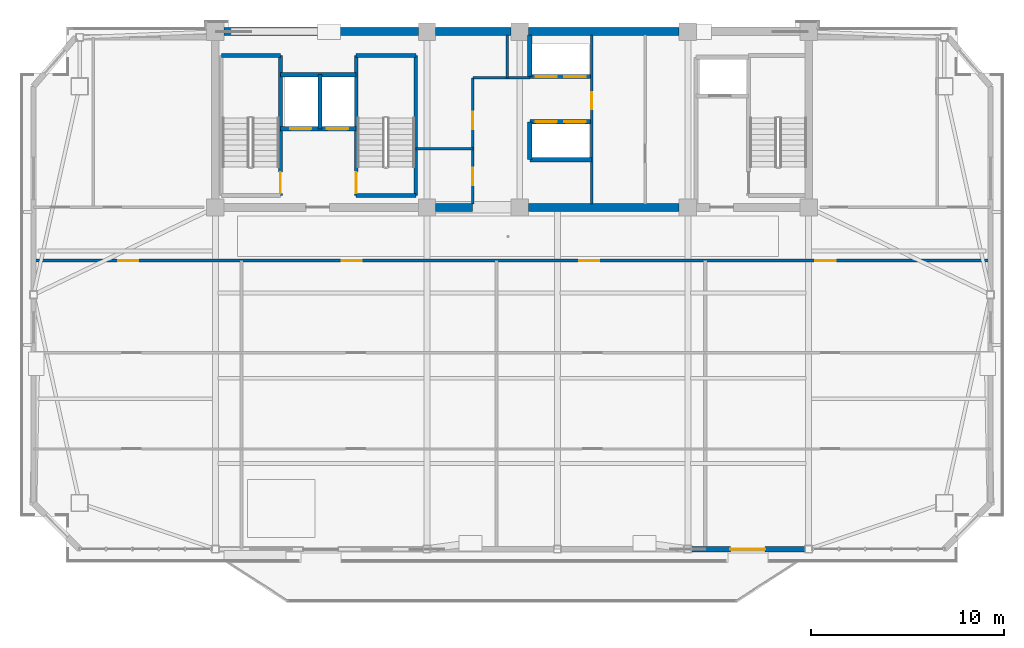
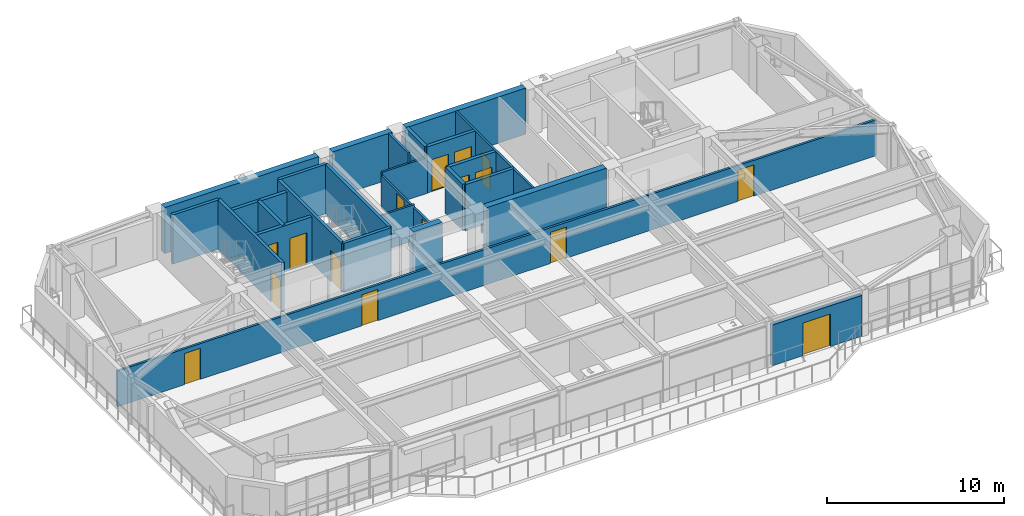
# One storey, part 7 of 13: 26 walls, 16 doors, 16 openings.
"""IFC4 building model written with IfcOpenShell, lengths in metres."""

from ifc_helpers import new_model, si_unit, direction, frame, frame_2d, origin, place, context, subcontext, project, spatial, rectangle, extrude, source, transform, mapped, material, layer, layer_set, type_object, element, fill, save


model = new_model("IFC4")

# Units and contexts
model_context = context("Model", 3, precision=1e-05, world=origin(), true_north=direction((0.0, 1.0)))
body_context = subcontext(model_context, "Body", "Model", "MODEL_VIEW")
ifc_project = project(units=[si_unit("LENGTHUNIT", "METRE"), si_unit("AREAUNIT", "SQUARE_METRE"), si_unit("VOLUMEUNIT", "CUBIC_METRE"), si_unit("PLANEANGLEUNIT", "RADIAN"), si_unit("MASSUNIT", "GRAM", prefix="KILO")], contexts=[model_context])

# Site, building, storey
site_placement = place(None, origin())
site = spatial("IfcSite", under=ifc_project, at=site_placement, CompositionType="ELEMENT")
building_placement = place(site_placement, origin())
building = spatial("IfcBuilding", under=site, at=building_placement, Name="Giltprow Tower", CompositionType="ELEMENT")
storey_placement = place(building_placement, frame((0.0, 0.0, 304.0)))
storey = spatial("IfcBuildingStorey", under=building, at=storey_placement, Name="L78", CompositionType="ELEMENT", Elevation=304.0)

# Wall, opening, door
ifc_material_1 = material(Name="Precast concrete C40", Category="concrete")
ifc_layer_1 = layer(ifc_material_1, 0.280029296875, Name="Precast concrete C40")
ifc_layer_set_1 = layer_set([ifc_layer_1], Name="Precast concrete C40")
wall_type_1 = type_object("IfcWallType", Name="EW-TOW-BRONZE-280", PredefinedType="SOLIDWALL", material=ifc_layer_set_1)
wall_1_placement = place(storey_placement, frame((44.5, 19.77197265625, 0.0), z_axis=(0.0, 0.0, 1.0), x_axis=(1.0, 0.0, 0.0)))
wall_1 = element("IfcWall", 1, at=wall_1_placement, inside=storey, type_object=wall_type_1, Name="L78 South Expressed Frame Wall 5", PredefinedType="SOLIDWALL", context=body_context, shape_type="SweptSolid", body=[
    extrude(rectangle(XDim=5.85009765625, YDim=0.280029296875, at=frame_2d((2.925048828125, 0.0))), origin(), (0.0, 0.0, 1.0), 2.81494140625),
])
opening_1_placement = place(wall_1_placement, frame((2.0, 0.0, 0.0)))
opening_1 = element("IfcOpeningElement", 2, at=opening_1_placement, cuts=wall_1, Name="Opening ED25", PredefinedType="OPENING", context=body_context, shape_type="SweptSolid", body=[
    extrude(rectangle(XDim=1.800048828125, YDim=2.25, at=frame_2d((0.89990234375, 1.125))), frame((0.0, 0.14990234375, 0.0), z_axis=(0.0, -1.0, 0.0), x_axis=(1.0, 0.0, 0.0)), (0.0, 0.0, 1.0), 0.300048828125),
])
ifc_material_2 = material(Name="Anodized bronze and glass", Category="glass")
door_type_1 = type_object("IfcDoorType", Name="DR-BALC-SLIDE-1800", OperationType="SLIDING_TO_LEFT", PredefinedType="DOOR", material=ifc_material_2)
shared_shape_1 = source(origin(), body_context, "Body", "SweptSolid", [
    extrude(rectangle(XDim=1.800048828125, YDim=2.25, at=frame_2d((0.89990234375, 1.125))), frame((0.0, 0.02490234375, 0.0), z_axis=(0.0, -1.0, 0.0), x_axis=(1.0, 0.0, 0.0)), (0.0, 0.0, 1.0), 0.050048828125),
])
door_1_placement = place(opening_1_placement, origin())
door_1 = element("IfcDoor", 3, at=door_1_placement, inside=storey, type_object=door_type_1, Name="L78 Waterfront Balcony Sliding Door 2", OperationType="SLIDING_TO_LEFT", OverallHeight=2.25, OverallWidth=1.800048828125, PredefinedType="DOOR", context=body_context, shape_type="MappedRepresentation", body=[
    mapped(shared_shape_1, transform((0.0, 0.0, 0.0), x_axis=(1.0, 0.0, 0.0), y_axis=(0.0, 1.0, 0.0), z_axis=(0.0, 0.0, 1.0), scale=1.0)),
])
fill(opening_1, door_1)

# Wall, openings, doors
ifc_material_3 = material(Name="Gypsum stud partition", Category="gypsum")
ifc_layer_2 = layer(ifc_material_3, 0.14990234375, Name="Gypsum stud partition")
ifc_layer_set_2 = layer_set([ifc_layer_2], Name="Gypsum stud partition")
wall_type_2 = type_object("IfcWallType", Name="IW-CORR-150", PredefinedType="PARTITIONING", material=ifc_layer_set_2)
wall_2_placement = place(storey_placement, frame((10.43994140625, 34.699951171875, 0.0), z_axis=(0.0, 0.0, 1.0), x_axis=(1.0, 0.0, 0.0)))
wall_2 = element("IfcWall", 4, at=wall_2_placement, inside=storey, type_object=wall_type_2, Name="L78 Residence Gallery Corridor Wall", PredefinedType="PARTITIONING", context=body_context, shape_type="SweptSolid", body=[
    extrude(rectangle(XDim=49.52001953125, YDim=0.14990234375, at=frame_2d((24.760009765625, 0.0))), origin(), (0.0, 0.0, 1.0), 2.469970703125),
])
opening_2_placement = place(wall_2_placement, frame((4.382080078125, 0.0, 0.0)))
opening_2 = element("IfcOpeningElement", 5, at=opening_2_placement, cuts=wall_2, Name="Opening ID31", PredefinedType="OPENING", context=body_context, shape_type="SweptSolid", body=[
    extrude(rectangle(XDim=1.050048828125, YDim=2.14990234375, at=frame_2d((0.52490234375, 1.074951171875))), frame((0.0, 0.0849609375, 0.0), z_axis=(0.0, -1.0, 0.0), x_axis=(1.0, 0.0, 0.0)), (0.0, 0.0, 1.0), 0.169921875),
])
opening_3_placement = place(wall_2_placement, frame((15.945068359375, 0.0, 0.0)))
opening_3 = element("IfcOpeningElement", 6, at=opening_3_placement, cuts=wall_2, Name="Opening ID31", PredefinedType="OPENING", context=body_context, shape_type="SweptSolid", body=[
    extrude(rectangle(XDim=1.050048828125, YDim=2.14990234375, at=frame_2d((0.52490234375, 1.074951171875))), frame((0.0, 0.0849609375, 0.0), z_axis=(0.0, -1.0, 0.0), x_axis=(1.0, 0.0, 0.0)), (0.0, 0.0, 1.0), 0.169921875),
])
opening_4_placement = place(wall_2_placement, frame((28.23291015625, 0.0, 0.0)))
opening_4 = element("IfcOpeningElement", 7, at=opening_4_placement, cuts=wall_2, Name="Opening ID31", PredefinedType="OPENING", context=body_context, shape_type="SweptSolid", body=[
    extrude(rectangle(XDim=1.050048828125, YDim=2.14990234375, at=frame_2d((0.52490234375, 1.074951171875))), frame((0.0, 0.0849609375, 0.0), z_axis=(0.0, -1.0, 0.0), x_axis=(1.0, 0.0, 0.0)), (0.0, 0.0, 1.0), 0.169921875),
])
opening_5_placement = place(wall_2_placement, frame((40.4619140625, 0.0, 0.0)))
opening_5 = element("IfcOpeningElement", 8, at=opening_5_placement, cuts=wall_2, Name="Opening ID31", PredefinedType="OPENING", context=body_context, shape_type="SweptSolid", body=[
    extrude(rectangle(XDim=1.050048828125, YDim=2.14990234375, at=frame_2d((0.52490234375, 1.074951171875))), frame((0.0, 0.0849609375, 0.0), z_axis=(0.0, -1.0, 0.0), x_axis=(1.0, 0.0, 0.0)), (0.0, 0.0, 1.0), 0.169921875),
])
ifc_material_4 = material(Name="Engineered timber", Category="wood")
door_type_2 = type_object("IfcDoorType", Name="DR-SUITE-1050", OperationType="SINGLE_SWING_LEFT", PredefinedType="DOOR", material=ifc_material_4)
shared_shape_2 = source(origin(), body_context, "Body", "SweptSolid", [
    extrude(rectangle(XDim=1.050048828125, YDim=2.14990234375, at=frame_2d((0.52490234375, 1.074951171875))), frame((0.0, 0.02490234375, 0.0), z_axis=(0.0, -1.0, 0.0), x_axis=(1.0, 0.0, 0.0)), (0.0, 0.0, 1.0), 0.050048828125),
])
door_2_placement = place(opening_2_placement, origin())
door_2 = element("IfcDoor", 9, at=door_2_placement, inside=storey, type_object=door_type_2, Name="L78 Residents Study Office North Door", OperationType="SINGLE_SWING_LEFT", OverallHeight=2.14990234375, OverallWidth=1.050048828125, PredefinedType="DOOR", context=body_context, shape_type="MappedRepresentation", body=[
    mapped(shared_shape_2, transform((0.0, 0.0, 0.0), x_axis=(1.0, 0.0, 0.0), y_axis=(0.0, 1.0, 0.0), z_axis=(0.0, 0.0, 1.0), scale=1.0)),
])
fill(opening_2, door_2)
door_3_placement = place(opening_3_placement, origin())
door_3 = element("IfcDoor", 10, at=door_3_placement, inside=storey, type_object=door_type_2, Name="L78 Residents Sky Club Lounge North Door", OperationType="SINGLE_SWING_RIGHT", OverallHeight=2.14990234375, OverallWidth=1.050048828125, PredefinedType="DOOR", context=body_context, shape_type="MappedRepresentation", body=[
    mapped(shared_shape_2, transform((0.0, 0.0, 0.0), x_axis=(1.0, 0.0, 0.0), y_axis=(0.0, 1.0, 0.0), z_axis=(0.0, 0.0, 1.0), scale=1.0)),
])
fill(opening_3, door_3)
door_4_placement = place(opening_4_placement, origin())
door_4 = element("IfcDoor", 11, at=door_4_placement, inside=storey, type_object=door_type_2, Name="L78 Residents Sky Club Lounge North Door", OperationType="SINGLE_SWING_LEFT", OverallHeight=2.14990234375, OverallWidth=1.050048828125, PredefinedType="DOOR", context=body_context, shape_type="MappedRepresentation", body=[
    mapped(shared_shape_2, transform((0.0, 0.0, 0.0), x_axis=(1.0, 0.0, 0.0), y_axis=(0.0, 1.0, 0.0), z_axis=(0.0, 0.0, 1.0), scale=1.0)),
])
fill(opening_4, door_4)
door_5_placement = place(opening_5_placement, origin())
door_5 = element("IfcDoor", 12, at=door_5_placement, inside=storey, type_object=door_type_2, Name="L78 Boutique Florist Shop North Door", OperationType="SINGLE_SWING_RIGHT", OverallHeight=2.14990234375, OverallWidth=1.050048828125, PredefinedType="DOOR", context=body_context, shape_type="MappedRepresentation", body=[
    mapped(shared_shape_2, transform((0.0, 0.0, 0.0), x_axis=(1.0, 0.0, 0.0), y_axis=(0.0, 1.0, 0.0), z_axis=(0.0, 0.0, 1.0), scale=1.0)),
])
fill(opening_5, door_5)

ifc_material_5 = material(Name="Concrete C40", Category="concrete")
ifc_layer_3 = layer(ifc_material_5, 0.219970703125, Name="Concrete C40")
ifc_layer_set_3 = layer_set([ifc_layer_3], Name="Concrete C40")
wall_type_3 = type_object("IfcWallType", Name="IW-SHAFT-220", PredefinedType="SOLIDWALL", material=ifc_layer_set_3)
wall_3_placement = place(storey_placement, frame((23.219970703125, 41.52001953125, 0.0), z_axis=(0.0, 0.0, 1.0), x_axis=(1.0, 0.0, 0.0)))
wall_3 = element("IfcWall", 13, at=wall_3_placement, inside=storey, type_object=wall_type_3, Name="L78 FFL1 and Service Lift Front Wall", PredefinedType="SOLIDWALL", context=body_context, shape_type="SweptSolid", body=[
    extrude(rectangle(XDim=3.919921875, YDim=0.219970703125, at=frame_2d((1.9599609375, 0.0))), origin(), (0.0, 0.0, 1.0), 3.18505859375),
])
opening_6_placement = place(wall_3_placement, frame((0.5, 0.0, 0.0)))
opening_6 = element("IfcOpeningElement", 14, at=opening_6_placement, cuts=wall_3, Name="Opening LD-11", PredefinedType="OPENING", context=body_context, shape_type="SweptSolid", body=[
    extrude(rectangle(XDim=1.10009765625, YDim=2.199951171875, at=frame_2d((0.550048828125, 1.10009765625))), frame((0.0, 0.119873046875, 0.0), z_axis=(0.0, -1.0, 0.0), x_axis=(1.0, 0.0, 0.0)), (0.0, 0.0, 1.0), 0.239990234375),
])
opening_7_placement = place(wall_3_placement, frame((2.39990234375, 0.0, 0.0)))
opening_7 = element("IfcOpeningElement", 15, at=opening_7_placement, cuts=wall_3, Name="Opening LD-11", PredefinedType="OPENING", context=body_context, shape_type="SweptSolid", body=[
    extrude(rectangle(XDim=1.10009765625, YDim=2.199951171875, at=frame_2d((0.550048828125, 1.10009765625))), frame((0.0, 0.119873046875, 0.0), z_axis=(0.0, -1.0, 0.0), x_axis=(1.0, 0.0, 0.0)), (0.0, 0.0, 1.0), 0.239990234375),
])
ifc_material_6 = material(Name="Stainless steel", Category="steel")
door_type_3 = type_object("IfcDoorType", Name="DR-LIFT-LD1100", OperationType="SLIDING_TO_LEFT", PredefinedType="DOOR", material=ifc_material_6)
shared_shape_3 = source(origin(), body_context, "Body", "SweptSolid", [
    extrude(rectangle(XDim=1.10009765625, YDim=2.199951171875, at=frame_2d((0.550048828125, 1.10009765625))), frame((0.0, 0.02490234375, 0.0), z_axis=(0.0, -1.0, 0.0), x_axis=(1.0, 0.0, 0.0)), (0.0, 0.0, 1.0), 0.050048828125),
])
door_6_placement = place(opening_6_placement, origin())
door_6 = element("IfcDoor", 16, at=door_6_placement, inside=storey, type_object=door_type_3, Name="L78 FFL1 Landing Door", OperationType="SLIDING_TO_LEFT", OverallHeight=2.199951171875, OverallWidth=1.10009765625, PredefinedType="DOOR", context=body_context, shape_type="MappedRepresentation", body=[
    mapped(shared_shape_3, transform((0.0, 0.0, 0.0), x_axis=(1.0, 0.0, 0.0), y_axis=(0.0, 1.0, 0.0), z_axis=(0.0, 0.0, 1.0), scale=1.0)),
])
fill(opening_6, door_6)
door_7_placement = place(opening_7_placement, origin())
door_7 = element("IfcDoor", 17, at=door_7_placement, inside=storey, type_object=door_type_3, Name="L78 SVL1 Landing Door", OperationType="SLIDING_TO_LEFT", OverallHeight=2.199951171875, OverallWidth=1.10009765625, PredefinedType="DOOR", context=body_context, shape_type="MappedRepresentation", body=[
    mapped(shared_shape_3, transform((0.0, 0.0, 0.0), x_axis=(1.0, 0.0, 0.0), y_axis=(0.0, 1.0, 0.0), z_axis=(0.0, 0.0, 1.0), scale=1.0)),
])
fill(opening_7, door_7)

# Walls
wall_4_placement = place(storey_placement, frame((25.260009765625, 41.52001953125, 0.0), z_axis=(0.0, 0.0, 1.0), x_axis=(0.0, 1.0, 0.0)))
element("IfcWall", 18, at=wall_4_placement, inside=storey, type_object=wall_type_3, Name="L78 FFL1-SVL1 Shaft Divider", PredefinedType="SOLIDWALL", context=body_context, shape_type="SweptSolid", body=[
    extrude(rectangle(XDim=2.800048828125, YDim=0.219970703125, at=frame_2d((1.39990234375, 0.0))), origin(), (0.0, 0.0, 1.0), 3.18505859375),
])
wall_5_placement = place(storey_placement, frame((23.219970703125, 44.320068359375, 0.0), z_axis=(0.0, 0.0, 1.0), x_axis=(1.0, 0.0, 0.0)))
element("IfcWall", 19, at=wall_5_placement, inside=storey, type_object=wall_type_3, Name="L78 FFL1-SVL1 Back Shaft Wall", PredefinedType="SOLIDWALL", context=body_context, shape_type="SweptSolid", body=[
    extrude(rectangle(XDim=3.919921875, YDim=0.219970703125, at=frame_2d((1.9599609375, 0.0))), origin(), (0.0, 0.0, 1.0), 3.18505859375),
])

# Wall, openings, doors
wall_6_placement = place(storey_placement, frame((36.1201171875, 44.219970703125, 0.0), z_axis=(0.0, 0.0, 1.0), x_axis=(1.0, 0.0, 0.0)))
wall_6 = element("IfcWall", 20, at=wall_6_placement, inside=storey, type_object=wall_type_3, Name="L78 High-Rise Lift Shaft Front Wall N", PredefinedType="SOLIDWALL", context=body_context, shape_type="SweptSolid", body=[
    extrude(rectangle(XDim=3.199951171875, YDim=0.219970703125, at=frame_2d((1.60009765625, 0.0))), origin(), (0.0, 0.0, 1.0), 3.18505859375),
])
opening_8_placement = place(wall_6_placement, frame((0.300048828125, 0.0, 0.0)))
opening_8 = element("IfcOpeningElement", 21, at=opening_8_placement, cuts=wall_6, Name="Opening LD-11", PredefinedType="OPENING", context=body_context, shape_type="SweptSolid", body=[
    extrude(rectangle(XDim=1.10009765625, YDim=2.199951171875, at=frame_2d((0.550048828125, 1.10009765625))), frame((0.0, 0.119873046875, 0.0), z_axis=(0.0, -1.0, 0.0), x_axis=(1.0, 0.0, 0.0)), (0.0, 0.0, 1.0), 0.239990234375),
])
opening_9_placement = place(wall_6_placement, frame((1.7900390625, 0.0, 0.0)))
opening_9 = element("IfcOpeningElement", 22, at=opening_9_placement, cuts=wall_6, Name="Opening LD-11", PredefinedType="OPENING", context=body_context, shape_type="SweptSolid", body=[
    extrude(rectangle(XDim=1.10009765625, YDim=2.199951171875, at=frame_2d((0.550048828125, 1.10009765625))), frame((0.0, 0.119873046875, 0.0), z_axis=(0.0, -1.0, 0.0), x_axis=(1.0, 0.0, 0.0)), (0.0, 0.0, 1.0), 0.239990234375),
])
door_8_placement = place(opening_8_placement, origin())
door_8 = element("IfcDoor", 23, at=door_8_placement, inside=storey, type_object=door_type_3, Name="L78 PL-H1 Landing Door", OperationType="SLIDING_TO_LEFT", OverallHeight=2.199951171875, OverallWidth=1.10009765625, PredefinedType="DOOR", context=body_context, shape_type="MappedRepresentation", body=[
    mapped(shared_shape_3, transform((0.0, 0.0, 0.0), x_axis=(1.0, 0.0, 0.0), y_axis=(0.0, 1.0, 0.0), z_axis=(0.0, 0.0, 1.0), scale=1.0)),
])
fill(opening_8, door_8)
door_9_placement = place(opening_9_placement, origin())
door_9 = element("IfcDoor", 24, at=door_9_placement, inside=storey, type_object=door_type_3, Name="L78 PL-H2 Landing Door", OperationType="SLIDING_TO_LEFT", OverallHeight=2.199951171875, OverallWidth=1.10009765625, PredefinedType="DOOR", context=body_context, shape_type="MappedRepresentation", body=[
    mapped(shared_shape_3, transform((0.0, 0.0, 0.0), x_axis=(1.0, 0.0, 0.0), y_axis=(0.0, 1.0, 0.0), z_axis=(0.0, 0.0, 1.0), scale=1.0)),
])
fill(opening_9, door_9)

wall_7_placement = place(storey_placement, frame((36.1201171875, 41.8798828125, 0.0), z_axis=(0.0, 0.0, 1.0), x_axis=(1.0, 0.0, 0.0)))
wall_7 = element("IfcWall", 25, at=wall_7_placement, inside=storey, type_object=wall_type_3, Name="L78 High-Rise Lift Shaft Front Wall S", PredefinedType="SOLIDWALL", context=body_context, shape_type="SweptSolid", body=[
    extrude(rectangle(XDim=3.199951171875, YDim=0.219970703125, at=frame_2d((1.60009765625, 0.0))), origin(), (0.0, 0.0, 1.0), 3.18505859375),
])
opening_10_placement = place(wall_7_placement, frame((0.300048828125, 0.0, 0.0)))
opening_10 = element("IfcOpeningElement", 26, at=opening_10_placement, cuts=wall_7, Name="Opening LD-11", PredefinedType="OPENING", context=body_context, shape_type="SweptSolid", body=[
    extrude(rectangle(XDim=1.10009765625, YDim=2.199951171875, at=frame_2d((0.550048828125, 1.10009765625))), frame((0.0, 0.119873046875, 0.0), z_axis=(0.0, -1.0, 0.0), x_axis=(1.0, 0.0, 0.0)), (0.0, 0.0, 1.0), 0.239990234375),
])
opening_11_placement = place(wall_7_placement, frame((1.7900390625, 0.0, 0.0)))
opening_11 = element("IfcOpeningElement", 27, at=opening_11_placement, cuts=wall_7, Name="Opening LD-11", PredefinedType="OPENING", context=body_context, shape_type="SweptSolid", body=[
    extrude(rectangle(XDim=1.10009765625, YDim=2.199951171875, at=frame_2d((0.550048828125, 1.10009765625))), frame((0.0, 0.119873046875, 0.0), z_axis=(0.0, -1.0, 0.0), x_axis=(1.0, 0.0, 0.0)), (0.0, 0.0, 1.0), 0.239990234375),
])
door_10_placement = place(opening_10_placement, origin())
door_10 = element("IfcDoor", 28, at=door_10_placement, inside=storey, type_object=door_type_3, Name="L78 PL-H3 Landing Door", OperationType="SLIDING_TO_LEFT", OverallHeight=2.199951171875, OverallWidth=1.10009765625, PredefinedType="DOOR", context=body_context, shape_type="MappedRepresentation", body=[
    mapped(shared_shape_3, transform((0.0, 0.0, 0.0), x_axis=(1.0, 0.0, 0.0), y_axis=(0.0, 1.0, 0.0), z_axis=(0.0, 0.0, 1.0), scale=1.0)),
])
fill(opening_10, door_10)
door_11_placement = place(opening_11_placement, origin())
door_11 = element("IfcDoor", 29, at=door_11_placement, inside=storey, type_object=door_type_3, Name="L78 PL-H4 Landing Door", OperationType="SLIDING_TO_LEFT", OverallHeight=2.199951171875, OverallWidth=1.10009765625, PredefinedType="DOOR", context=body_context, shape_type="MappedRepresentation", body=[
    mapped(shared_shape_3, transform((0.0, 0.0, 0.0), x_axis=(1.0, 0.0, 0.0), y_axis=(0.0, 1.0, 0.0), z_axis=(0.0, 0.0, 1.0), scale=1.0)),
])
fill(opening_11, door_11)

# Walls
wall_8_placement = place(storey_placement, frame((36.1201171875, 39.919921875, 0.0), z_axis=(0.0, 0.0, 1.0), x_axis=(1.0, 0.0, 0.0)))
element("IfcWall", 30, at=wall_8_placement, inside=storey, type_object=wall_type_3, Name="L78 High-Rise South Lift Back Wall", PredefinedType="SOLIDWALL", context=body_context, shape_type="SweptSolid", body=[
    extrude(rectangle(XDim=3.199951171875, YDim=0.219970703125, at=frame_2d((1.60009765625, 0.0))), origin(), (0.0, 0.0, 1.0), 3.18505859375),
])
wall_9_placement = place(storey_placement, frame((36.1201171875, 39.919921875, 0.0), z_axis=(0.0, 0.0, 1.0), x_axis=(0.0, 1.0, 0.0)))
element("IfcWall", 31, at=wall_9_placement, inside=storey, type_object=wall_type_3, Name="L78 High-Rise South Lift West Closure", PredefinedType="SOLIDWALL", context=body_context, shape_type="SweptSolid", body=[
    extrude(rectangle(XDim=1.9599609375, YDim=0.219970703125, at=frame_2d((0.97998046875, 0.0))), origin(), (0.0, 0.0, 1.0), 3.18505859375),
])
wall_10_placement = place(storey_placement, frame((36.1201171875, 44.219970703125, 0.0), z_axis=(0.0, 0.0, 1.0), x_axis=(0.0, 1.0, 0.0)))
element("IfcWall", 32, at=wall_10_placement, inside=storey, type_object=wall_type_3, Name="L78 High-Rise North Lift West Closure", PredefinedType="SOLIDWALL", context=body_context, shape_type="SweptSolid", body=[
    extrude(rectangle(XDim=2.150146484375, YDim=0.219970703125, at=frame_2d((1.0751953125, 0.0))), origin(), (0.0, 0.0, 1.0), 3.18505859375),
])

# Wall, opening, door
ifc_layer_4 = layer(ifc_material_5, 0.199951171875, Name="Concrete C40")
ifc_layer_set_4 = layer_set([ifc_layer_4], Name="Concrete C40")
wall_type_4 = type_object("IfcWallType", Name="IW-STAIR-200", PredefinedType="SOLIDWALL", material=ifc_layer_set_4)
wall_11_placement = place(storey_placement, frame((23.219970703125, 38.070068359375, 0.0), z_axis=(0.0, 0.0, 1.0), x_axis=(0.0, 1.0, 0.0)))
wall_11 = element("IfcWall", 33, at=wall_11_placement, inside=storey, type_object=wall_type_4, Name="L78 Stair ST-1 East Bearing Wall", PredefinedType="SOLIDWALL", context=body_context, shape_type="SweptSolid", body=[
    extrude(rectangle(XDim=7.25, YDim=0.199951171875, at=frame_2d((3.625, 0.0))), origin(), (0.0, 0.0, 1.0), 3.39990234375),
])
opening_12_placement = place(wall_11_placement, frame((0.110107421875, 0.0, 0.0)))
opening_12 = element("IfcOpeningElement", 34, at=opening_12_placement, cuts=wall_11, Name="Opening ID33", PredefinedType="OPENING", context=body_context, shape_type="SweptSolid", body=[
    extrude(rectangle(XDim=1.10009765625, YDim=2.14990234375, at=frame_2d((0.550048828125, 1.074951171875))), frame((0.0, 0.10986328125, 0.0), z_axis=(0.0, -1.0, 0.0), x_axis=(1.0, 0.0, 0.0)), (0.0, 0.0, 1.0), 0.219970703125),
])
ifc_material_7 = material(Name="Steel fire leaf", Category="steel")
door_type_4 = type_object("IfcDoorType", Name="DR-STAIR-1100", OperationType="SINGLE_SWING_LEFT", PredefinedType="DOOR", material=ifc_material_7)
shared_shape_4 = source(origin(), body_context, "Body", "SweptSolid", [
    extrude(rectangle(XDim=1.10009765625, YDim=2.14990234375, at=frame_2d((0.550048828125, 1.074951171875))), frame((0.0, 0.02490234375, 0.0), z_axis=(0.0, -1.0, 0.0), x_axis=(1.0, 0.0, 0.0)), (0.0, 0.0, 1.0), 0.050048828125),
])
door_12_placement = place(opening_12_placement, origin())
door_12 = element("IfcDoor", 35, at=door_12_placement, inside=storey, type_object=door_type_4, Name="L78 Stair ST-1 Fire Door", OperationType="SINGLE_SWING_RIGHT", OverallHeight=2.14990234375, OverallWidth=1.10009765625, PredefinedType="DOOR", context=body_context, shape_type="MappedRepresentation", body=[
    mapped(shared_shape_4, transform((0.0, 0.0, 0.0), x_axis=(1.0, 0.0, 0.0), y_axis=(0.0, 1.0, 0.0), z_axis=(0.0, 0.0, 1.0), scale=1.0)),
])
fill(opening_12, door_12)

# Wall
wall_12_placement = place(storey_placement, frame((20.169921875, 45.320068359375, 0.0), z_axis=(0.0, 0.0, 1.0), x_axis=(1.0, 0.0, 0.0)))
element("IfcWall", 36, at=wall_12_placement, inside=storey, type_object=wall_type_4, Name="L78 Stair ST-1 North Bearing Wall", PredefinedType="SOLIDWALL", context=body_context, shape_type="SweptSolid", body=[
    extrude(rectangle(XDim=3.050048828125, YDim=0.199951171875, at=frame_2d((1.52490234375, 0.0))), origin(), (0.0, 0.0, 1.0), 3.39990234375),
])

# Wall, opening, door
wall_13_placement = place(storey_placement, frame((27.139892578125, 38.070068359375, 0.0), z_axis=(0.0, 0.0, 1.0), x_axis=(0.0, 1.0, 0.0)))
wall_13 = element("IfcWall", 37, at=wall_13_placement, inside=storey, type_object=wall_type_4, Name="L78 Stair ST-2 West Bearing Wall", PredefinedType="SOLIDWALL", context=body_context, shape_type="SweptSolid", body=[
    extrude(rectangle(XDim=7.25, YDim=0.199951171875, at=frame_2d((3.625, 0.0))), origin(), (0.0, 0.0, 1.0), 3.39990234375),
])
opening_13_placement = place(wall_13_placement, frame((0.110107421875, 0.0, 0.0)))
opening_13 = element("IfcOpeningElement", 38, at=opening_13_placement, cuts=wall_13, Name="Opening ID33", PredefinedType="OPENING", context=body_context, shape_type="SweptSolid", body=[
    extrude(rectangle(XDim=1.10009765625, YDim=2.14990234375, at=frame_2d((0.550048828125, 1.074951171875))), frame((0.0, 0.10986328125, 0.0), z_axis=(0.0, -1.0, 0.0), x_axis=(1.0, 0.0, 0.0)), (0.0, 0.0, 1.0), 0.219970703125),
])
door_13_placement = place(opening_13_placement, origin())
door_13 = element("IfcDoor", 39, at=door_13_placement, inside=storey, type_object=door_type_4, Name="L78 Stair ST-2 Fire Door", OperationType="SINGLE_SWING_LEFT", OverallHeight=2.14990234375, OverallWidth=1.10009765625, PredefinedType="DOOR", context=body_context, shape_type="MappedRepresentation", body=[
    mapped(shared_shape_4, transform((0.0, 0.0, 0.0), x_axis=(1.0, 0.0, 0.0), y_axis=(0.0, 1.0, 0.0), z_axis=(0.0, 0.0, 1.0), scale=1.0)),
])
fill(opening_13, door_13)

# Walls
wall_14_placement = place(storey_placement, frame((30.219970703125, 38.070068359375, 0.0), z_axis=(0.0, 0.0, 1.0), x_axis=(0.0, 1.0, 0.0)))
element("IfcWall", 40, at=wall_14_placement, inside=storey, type_object=wall_type_4, Name="L78 Stair ST-2 East Bearing Wall", PredefinedType="SOLIDWALL", context=body_context, shape_type="SweptSolid", body=[
    extrude(rectangle(XDim=7.25, YDim=0.199951171875, at=frame_2d((3.625, 0.0))), origin(), (0.0, 0.0, 1.0), 3.39990234375),
])
for number, where, z_axis, x_axis, name in (
    (41, (27.139892578125, 45.320068359375, 0.0), (0.0, 0.0, 1.0), (1.0, 0.0, 0.0), "L78 Stair ST-2 North Bearing Wall"),
    (42, (27.139892578125, 38.070068359375, 0.0), (0.0, 0.0, 1.0), (1.0, 0.0, 0.0), "L78 Stair ST-2 South Bearing Wall"),
):
    element("IfcWall", number, at=place(storey_placement, frame(where, z_axis=z_axis, x_axis=x_axis)), inside=storey, type_object=wall_type_4, Name=name, PredefinedType="SOLIDWALL", context=body_context, shape_type="SweptSolid", body=[
        extrude(rectangle(XDim=3.080078125, YDim=0.199951171875, at=frame_2d((1.5400390625, 0.0))), origin(), (0.0, 0.0, 1.0), 3.39990234375),
    ])

# Wall, openings, doors
ifc_material_8 = material(Name="Concrete C30", Category="concrete")
ifc_layer_5 = layer(ifc_material_8, 0.1298828125, Name="Concrete C30")
ifc_layer_set_5 = layer_set([ifc_layer_5], Name="Concrete C30")
wall_type_5 = type_object("IfcWallType", Name="IW-WET-130", PredefinedType="PARTITIONING", material=ifc_layer_set_5)
wall_15_placement = place(storey_placement, frame((33.179931640625, 37.6298828125, 0.0), z_axis=(0.0, 0.0, 1.0), x_axis=(0.0, 1.0, 0.0)))
wall_15 = element("IfcWall", 43, at=wall_15_placement, inside=storey, type_object=wall_type_5, Name="L78 Reclaimed West Core Wall", PredefinedType="PARTITIONING", context=body_context, shape_type="SweptSolid", body=[
    extrude(rectangle(XDim=6.52001953125, YDim=0.1298828125, at=frame_2d((3.260009765625, 0.0))), origin(), (0.0, 0.0, 1.0), 2.27001953125),
])
opening_14_placement = place(wall_15_placement, frame((0.969970703125, 0.0, 0.0)))
opening_14 = element("IfcOpeningElement", 44, at=opening_14_placement, cuts=wall_15, Name="Opening ID35", PredefinedType="OPENING", context=body_context, shape_type="SweptSolid", body=[
    extrude(rectangle(XDim=0.89990234375, YDim=2.10009765625, at=frame_2d((0.449951171875, 1.050048828125))), frame((0.0, 0.074951171875, 0.0), z_axis=(0.0, -1.0, 0.0), x_axis=(1.0, 0.0, 0.0)), (0.0, 0.0, 1.0), 0.14990234375),
])
opening_15_placement = place(wall_15_placement, frame((3.8701171875, 0.0, 0.0)))
opening_15 = element("IfcOpeningElement", 45, at=opening_15_placement, cuts=wall_15, Name="Opening ID35", PredefinedType="OPENING", context=body_context, shape_type="SweptSolid", body=[
    extrude(rectangle(XDim=0.89990234375, YDim=2.10009765625, at=frame_2d((0.449951171875, 1.050048828125))), frame((0.0, 0.074951171875, 0.0), z_axis=(0.0, -1.0, 0.0), x_axis=(1.0, 0.0, 0.0)), (0.0, 0.0, 1.0), 0.14990234375),
])
door_type_5 = type_object("IfcDoorType", Name="DR-SHAFT-900", OperationType="SINGLE_SWING_LEFT", PredefinedType="DOOR", material=ifc_material_7)
shared_shape_5 = source(origin(), body_context, "Body", "SweptSolid", [
    extrude(rectangle(XDim=0.89990234375, YDim=2.10009765625, at=frame_2d((0.449951171875, 1.050048828125))), frame((0.0, 0.02490234375, 0.0), z_axis=(0.0, -1.0, 0.0), x_axis=(1.0, 0.0, 0.0)), (0.0, 0.0, 1.0), 0.050048828125),
])
door_14_placement = place(opening_14_placement, origin())
door_14 = element("IfcDoor", 46, at=door_14_placement, inside=storey, type_object=door_type_5, Name="L78 Core Powder WC Door", OperationType="SINGLE_SWING_LEFT", OverallHeight=2.10009765625, OverallWidth=0.89990234375, PredefinedType="DOOR", context=body_context, shape_type="MappedRepresentation", body=[
    mapped(shared_shape_5, transform((0.0, 0.0, 0.0), x_axis=(1.0, 0.0, 0.0), y_axis=(0.0, 1.0, 0.0), z_axis=(0.0, 0.0, 1.0), scale=1.0)),
])
fill(opening_14, door_14)
door_15_placement = place(opening_15_placement, origin())
door_15 = element("IfcDoor", 47, at=door_15_placement, inside=storey, type_object=door_type_5, Name="L78 Core Sommelier Pantry Door", OperationType="SINGLE_SWING_RIGHT", OverallHeight=2.10009765625, OverallWidth=0.89990234375, PredefinedType="DOOR", context=body_context, shape_type="MappedRepresentation", body=[
    mapped(shared_shape_5, transform((0.0, 0.0, 0.0), x_axis=(1.0, 0.0, 0.0), y_axis=(0.0, 1.0, 0.0), z_axis=(0.0, 0.0, 1.0), scale=1.0)),
])
fill(opening_15, door_15)

# Walls
wall_16_placement = place(storey_placement, frame((34.949951171875, 44.14990234375, 0.0), z_axis=(0.0, 0.0, 1.0), x_axis=(0.0, 1.0, 0.0)))
element("IfcWall", 48, at=wall_16_placement, inside=storey, type_object=wall_type_5, Name="L78 Reclaimed West Pocket Wall E", PredefinedType="PARTITIONING", context=body_context, shape_type="SweptSolid", body=[
    extrude(rectangle(XDim=2.22021484375, YDim=0.1298828125, at=frame_2d((1.110107421875, 0.0))), origin(), (0.0, 0.0, 1.0), 3.18505859375),
])
wall_17_placement = place(storey_placement, frame((33.179931640625, 44.14990234375, 0.0), z_axis=(0.0, 0.0, 1.0), x_axis=(1.0, 0.0, 0.0)))
element("IfcWall", 49, at=wall_17_placement, inside=storey, type_object=wall_type_5, Name="L78 Reclaimed West Pocket Wall S", PredefinedType="PARTITIONING", context=body_context, shape_type="SweptSolid", body=[
    extrude(rectangle(XDim=2.940185546875, YDim=0.1298828125, at=frame_2d((1.47021484375, 0.0))), origin(), (0.0, 0.0, 1.0), 2.469970703125),
])

# Wall, opening, door
wall_18_placement = place(storey_placement, frame((39.320068359375, 37.6298828125, 0.0), z_axis=(0.0, 0.0, 1.0), x_axis=(0.0, 1.0, 0.0)))
wall_18 = element("IfcWall", 50, at=wall_18_placement, inside=storey, type_object=wall_type_5, Name="L78 Reclaimed East Core Wall", PredefinedType="PARTITIONING", context=body_context, shape_type="SweptSolid", body=[
    extrude(rectangle(XDim=8.740234375, YDim=0.1298828125, at=frame_2d((4.3701171875, 0.0))), origin(), (0.0, 0.0, 1.0), 3.18505859375),
])
opening_16_placement = place(wall_18_placement, frame((4.889892578125, 0.0, 0.0)))
opening_16 = element("IfcOpeningElement", 51, at=opening_16_placement, cuts=wall_18, Name="Opening ID35", PredefinedType="OPENING", context=body_context, shape_type="SweptSolid", body=[
    extrude(rectangle(XDim=0.89990234375, YDim=2.10009765625, at=frame_2d((0.449951171875, 1.050048828125))), frame((0.0, 0.074951171875, 0.0), z_axis=(0.0, -1.0, 0.0), x_axis=(1.0, 0.0, 0.0)), (0.0, 0.0, 1.0), 0.14990234375),
])
door_16_placement = place(opening_16_placement, origin())
door_16 = element("IfcDoor", 52, at=door_16_placement, inside=storey, type_object=door_type_5, Name="L78 Core Housekeeping Vestibule Door", OperationType="SINGLE_SWING_LEFT", OverallHeight=2.10009765625, OverallWidth=0.89990234375, PredefinedType="DOOR", context=body_context, shape_type="MappedRepresentation", body=[
    mapped(shared_shape_5, transform((0.0, 0.0, 0.0), x_axis=(1.0, 0.0, 0.0), y_axis=(0.0, 1.0, 0.0), z_axis=(0.0, 0.0, 1.0), scale=1.0)),
])
fill(opening_16, door_16)

# Walls
wall_19_placement = place(storey_placement, frame((30.219970703125, 40.5, 0.0), z_axis=(0.0, 0.0, 1.0), x_axis=(1.0, 0.0, 0.0)))
element("IfcWall", 53, at=wall_19_placement, inside=storey, type_object=wall_type_5, Name="L78 West Core Split 2", PredefinedType="PARTITIONING", context=body_context, shape_type="SweptSolid", body=[
    extrude(rectangle(XDim=2.9599609375, YDim=0.1298828125, at=frame_2d((1.47998046875, 0.0))), origin(), (0.0, 0.0, 1.0), 2.469970703125),
])
ifc_material_9 = material(Name="Concrete C45", Category="concrete")
ifc_layer_6 = layer(ifc_material_9, 0.39990234375, Name="Concrete C45")
ifc_layer_set_6 = layer_set([ifc_layer_6], Name="Concrete C45")
wall_type_6 = type_object("IfcWallType", Name="SW-EXT-400-C45", PredefinedType="SHEAR", material=ifc_layer_set_6)
wall_20_placement = place(storey_placement, frame((20.300048828125, 46.550048828125, 0.0), z_axis=(0.0, 0.0, 1.0), x_axis=(1.0, 0.0, 0.0)))
element("IfcWall", 54, at=wall_20_placement, inside=storey, type_object=wall_type_6, Name="L78 North Rear Core Shear Wall 1", PredefinedType="SHEAR", context=body_context, shape_type="SweptSolid", body=[
    extrude(rectangle(XDim=10.050048828125, YDim=0.39990234375, at=frame_2d((5.02490234375, 0.0))), origin(), (0.0, 0.0, 1.0), 3.18505859375),
])
wall_21_placement = place(storey_placement, frame((31.25, 46.550048828125, 0.0), z_axis=(0.0, 0.0, 1.0), x_axis=(1.0, 0.0, 0.0)))
element("IfcWall", 55, at=wall_21_placement, inside=storey, type_object=wall_type_6, Name="L78 North Rear Core Shear Wall 2", PredefinedType="SHEAR", context=body_context, shape_type="SweptSolid", body=[
    extrude(rectangle(XDim=3.89990234375, YDim=0.39990234375, at=frame_2d((1.949951171875, 0.0))), origin(), (0.0, 0.0, 1.0), 3.18505859375),
])
wall_22_placement = place(storey_placement, frame((36.050048828125, 46.550048828125, 0.0), z_axis=(0.0, 0.0, 1.0), x_axis=(1.0, 0.0, 0.0)))
element("IfcWall", 56, at=wall_22_placement, inside=storey, type_object=wall_type_6, Name="L78 North Rear Core Shear Wall 3", PredefinedType="SHEAR", context=body_context, shape_type="SweptSolid", body=[
    extrude(rectangle(XDim=7.800048828125, YDim=0.39990234375, at=frame_2d((3.89990234375, 0.0))), origin(), (0.0, 0.0, 1.0), 3.18505859375),
])
ifc_layer_7 = layer(ifc_material_9, 0.39990234375, Name="Concrete C45")
ifc_layer_set_7 = layer_set([ifc_layer_7], Name="Concrete C45")
wall_type_7 = type_object("IfcWallType", Name="SW-INT-400-C45", PredefinedType="SHEAR", material=ifc_layer_set_7)
wall_23_placement = place(storey_placement, frame((31.25, 37.449951171875, 0.0), z_axis=(0.0, 0.0, 1.0), x_axis=(1.0, 0.0, 0.0)))
element("IfcWall", 57, at=wall_23_placement, inside=storey, type_object=wall_type_7, Name="L78 South Rear Core Shear Wall Mid-West", PredefinedType="SHEAR", context=body_context, shape_type="SweptSolid", body=[
    extrude(rectangle(XDim=1.89990234375, YDim=0.39990234375, at=frame_2d((0.949951171875, 0.0))), origin(), (0.0, 0.0, 1.0), 3.18505859375),
])
wall_24_placement = place(storey_placement, frame((36.050048828125, 37.449951171875, 0.0), z_axis=(0.0, 0.0, 1.0), x_axis=(1.0, 0.0, 0.0)))
element("IfcWall", 58, at=wall_24_placement, inside=storey, type_object=wall_type_7, Name="L78 South Rear Core Shear Wall Mid-East", PredefinedType="SHEAR", context=body_context, shape_type="SweptSolid", body=[
    extrude(rectangle(XDim=7.800048828125, YDim=0.39990234375, at=frame_2d((3.89990234375, 0.0))), origin(), (0.0, 0.0, 1.0), 3.18505859375),
])

save(model, "model.ifc")
